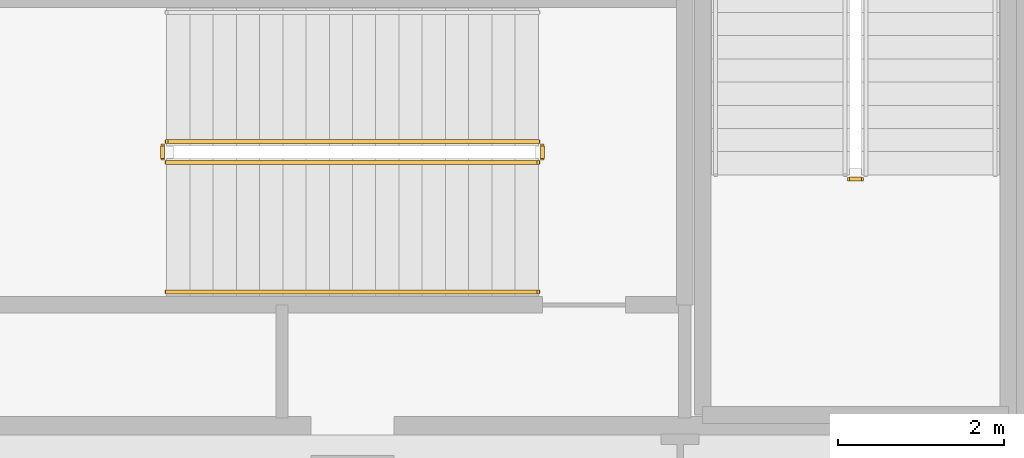
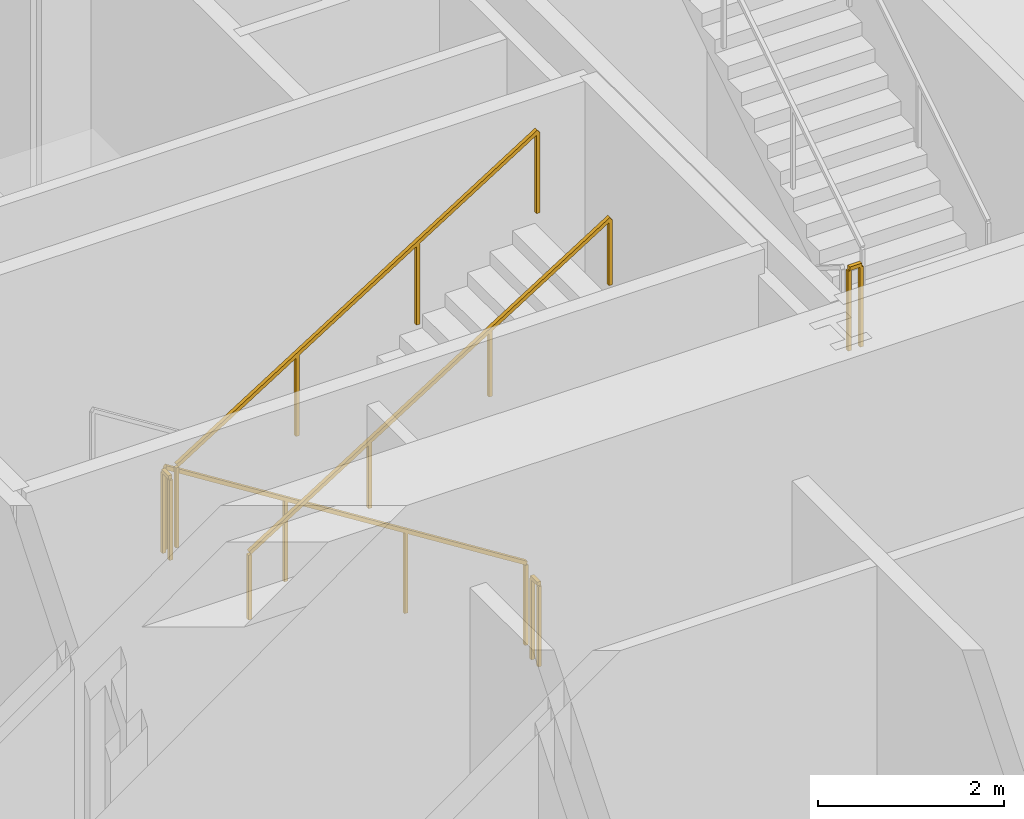
# One storey, part 30 of 35: 6 railings.
"""IFC4 building model written with IfcOpenShell, lengths in metres."""

import ifcopenshell
import ifcopenshell.guid

model = None  # the IFC model being written
_history = None  # IfcOwnerHistory: only IFC2X3 demands one
_inside = {}  # id of a spatial element -> (the spatial element, [elements in it])
_under = {}  # id of a project, library or spatial element -> (it, [spatial elements below it])
_declared = {}  # id of a project -> (the project, [libraries it declares])
_typed = {}  # id of a type object -> (the type object, [elements of that type])
_made_of = {}  # id of a material, layer set ... -> (it, [elements and type objects made of it])


def new_model(schema):
    """Start an empty IFC model of exactly this schema.

    Asked for "IFC4X3", IfcOpenShell would pick the latest addendum, in which some entities
    have other attributes; the version numbers below select the first issue.
    IFC2X3 requires an IfcOwnerHistory on every rooted entity: one is made here for all.
    """
    global model, _history
    if schema == "IFC4X3":
        model = ifcopenshell.file(schema_version=(4, 3, 0, 0))
    else:
        model = ifcopenshell.file(schema=schema)
    _inside.clear()
    _under.clear()
    _declared.clear()
    _typed.clear()
    _made_of.clear()
    _history = None
    if model.schema == "IFC2X3":
        org = make("IfcOrganization", Name="unknown")
        user = make(
            "IfcPersonAndOrganization",
            ThePerson=make("IfcPerson", FamilyName="unknown"),
            TheOrganization=org,
        )
        app = make(
            "IfcApplication",
            ApplicationDeveloper=org,
            Version="unknown",
            ApplicationFullName="unknown",
            ApplicationIdentifier="unknown",
        )
        _history = make(
            "IfcOwnerHistory",
            OwningUser=user,
            OwningApplication=app,
            ChangeAction="ADDED",
            CreationDate=0,
        )
    return model


def make(cls, **values):
    """One entity of the class cls with the attributes given. An attribute that is None is left unset."""
    return model.create_entity(
        cls, **{name: value for name, value in values.items() if value is not None}
    )


def rooted(cls, **values):
    """An entity with a GlobalId (a new one), such as an element, a storey or a relation."""
    return make(cls, GlobalId=ifcopenshell.guid.new(), OwnerHistory=_history, **values)


def si_unit(unit_type, name, prefix=None):
    """IfcSIUnit, for example si_unit("LENGTHUNIT", "METRE", prefix="MILLI")."""
    return make("IfcSIUnit", UnitType=unit_type, Prefix=prefix, Name=name)


def assignment(units):
    """IfcUnitAssignment: the units of a project."""
    return None if units is None else make("IfcUnitAssignment", Units=units)


def point(xyz):
    """IfcCartesianPoint."""
    return None if xyz is None else make("IfcCartesianPoint", Coordinates=xyz)


def direction(xyz):
    """IfcDirection."""
    return None if xyz is None else make("IfcDirection", DirectionRatios=xyz)


def frame(location, z_axis=None, x_axis=None):
    """IfcAxis2Placement3D, a coordinate frame: its origin and axes. An axis left out is left unset."""
    return make(
        "IfcAxis2Placement3D",
        Location=point(location),
        Axis=direction(z_axis),
        RefDirection=direction(x_axis),
    )


def frame_2d(location, x_axis=None):
    """IfcAxis2Placement2D, a coordinate frame in the plane: its origin and x axis."""
    return make(
        "IfcAxis2Placement2D", Location=point(location), RefDirection=direction(x_axis)
    )


def origin():
    """The frame at (0, 0, 0) with its axes left unset."""
    return frame((0.0, 0.0, 0.0))


def origin_2d():
    """The frame at (0, 0) in the plane with its x axis left unset."""
    return frame_2d((0.0, 0.0))


def place(relative_to, where):
    """IfcLocalPlacement: puts the frame where relative to a parent placement (None: the world)."""
    return make(
        "IfcLocalPlacement", PlacementRelTo=relative_to, RelativePlacement=where
    )


def context(
    kind, dimensions, precision=None, world=None, true_north=None, identifier=None
):
    """IfcGeometricRepresentationContext, for example the 3D "Model" context."""
    return make(
        "IfcGeometricRepresentationContext",
        ContextIdentifier=identifier,
        ContextType=kind,
        CoordinateSpaceDimension=dimensions,
        Precision=precision,
        WorldCoordinateSystem=world,
        TrueNorth=true_north,
    )


def subcontext(parent, identifier, kind, view, scale=None):
    """IfcGeometricRepresentationSubContext, for example "Body" below "Model"."""
    return make(
        "IfcGeometricRepresentationSubContext",
        ContextIdentifier=identifier,
        ContextType=kind,
        ParentContext=parent,
        TargetScale=scale,
        TargetView=view,
    )


def project(units=None, contexts=None):
    """IfcProject with its units and contexts."""
    return rooted(
        "IfcProject",
        Name="project",
        RepresentationContexts=contexts,
        UnitsInContext=assignment(units),
    )


def spatial(cls, under=None, at=None, **own):
    """A site, building, storey or space (cls), placed at a placement, below another one or the project."""
    s = rooted(cls, ObjectPlacement=at, **own)
    if under is not None:
        _under.setdefault(under.id(), (under, []))[1].append(s)
    return s


def profile(cls, at=None, kind="AREA", **sizes):
    """A parametric profile (cls). Its sizes go by their IFC names, for example OverallWidth=200.0."""
    return make(cls, ProfileType=kind, Position=at, **sizes)


def rectangle(**sizes):
    """IfcRectangleProfileDef."""
    return profile("IfcRectangleProfileDef", **sizes)


def extrude(swept, where, along, depth):
    """IfcExtrudedAreaSolid: the profile swept, set in the frame where, extruded along a direction by depth."""
    return make(
        "IfcExtrudedAreaSolid",
        SweptArea=swept,
        Position=where,
        ExtrudedDirection=direction(along),
        Depth=depth,
    )


def shape(context_of_items, identifier, shape_type, items):
    """IfcShapeRepresentation: the items that make up one representation, for example the "Body"."""
    return make(
        "IfcShapeRepresentation",
        ContextOfItems=context_of_items,
        RepresentationIdentifier=identifier,
        RepresentationType=shape_type,
        Items=items,
    )


def material(Name=None, Category=None):
    """IfcMaterial."""
    return make("IfcMaterial", Name=Name, Category=Category)


def layer(
    of_material, thickness, ventilated=None, Name=None, Category=None, Priority=None
):
    """IfcMaterialLayer: one layer of a wall or slab, of a material (None: an air gap)."""
    return make(
        "IfcMaterialLayer",
        Material=of_material,
        LayerThickness=thickness,
        IsVentilated=ventilated,
        Name=Name,
        Category=Category,
        Priority=Priority,
    )


def layer_set(layers, Name=None):
    """IfcMaterialLayerSet."""
    return make("IfcMaterialLayerSet", MaterialLayers=layers, LayerSetName=Name)


def made_of(thing, what):
    """Note that an element or type object is made of a material, layer set ...; save() writes the relation."""
    if what is not None:
        _made_of.setdefault(what.id(), (what, []))[1].append(thing)
    return thing


def type_object(cls, material=None, **own):
    """A type object (cls), such as IfcWallType, which elements share."""
    return made_of(rooted(cls, **own), material)


def element(
    cls,
    number,
    at=None,
    inside=None,
    cuts=None,
    type_object=None,
    material=None,
    context=None,
    identifier="Body",
    shape_type=None,
    held_by="IfcProductDefinitionShape",
    body=None,
    shapes=None,
    **own,
):
    """One element of the class cls, such as IfcWall. Its Tag is "e" and its number.

    at: its placement. inside: the storey or other place that contains it. cuts: it is an
    opening in that element (IfcRelVoidsElement). A single representation is given by context,
    identifier, shape_type and body (its items); several are given by shapes. held_by: the class
    of the entity that holds the representations. save() writes the other relations.
    """
    e = rooted(cls, Tag="e%d" % number, ObjectPlacement=at, **own)
    if body is not None:
        shapes = [shape(context, identifier, shape_type, body)]
    if shapes is not None:
        e.Representation = make(held_by, Representations=shapes)
    if inside is not None:
        _inside.setdefault(inside.id(), (inside, []))[1].append(e)
    if cuts is not None:
        rooted(
            "IfcRelVoidsElement", RelatingBuildingElement=cuts, RelatedOpeningElement=e
        )
    if type_object is not None:
        _typed.setdefault(type_object.id(), (type_object, []))[1].append(e)
    return made_of(e, material)


def aggregate(whole, parts):
    """IfcRelAggregates: a whole, such as a stair, and the parts it consists of."""
    return rooted("IfcRelAggregates", RelatingObject=whole, RelatedObjects=parts)


def save(model, path):
    """Write the relations noted so far, then the file.

    IfcRelAggregates (storeys below a building ...), IfcRelContainedInSpatialStructure (elements
    in a storey), IfcRelDefinesByType, IfcRelAssociatesMaterial and IfcRelDeclares: one each for
    every whole, place, type object, material and project.
    """
    for whole, parts in _under.values():
        aggregate(whole, parts)
    for where, things in _inside.values():
        rooted(
            "IfcRelContainedInSpatialStructure",
            RelatedElements=things,
            RelatingStructure=where,
        )
    for kind, things in _typed.values():
        rooted("IfcRelDefinesByType", RelatedObjects=things, RelatingType=kind)
    for what, things in _made_of.values():
        rooted("IfcRelAssociatesMaterial", RelatedObjects=things, RelatingMaterial=what)
    for by, libraries in _declared.values():
        rooted("IfcRelDeclares", RelatingContext=by, RelatedDefinitions=libraries)
    model.write(path)


model = new_model("IFC4")

# Units and contexts
model_context = context("Model", 3, precision=1e-05, world=origin(), true_north=direction((0.0, 1.0)))
body_context = subcontext(model_context, "Body", "Model", "MODEL_VIEW")
ifc_project = project(units=[si_unit("LENGTHUNIT", "METRE"), si_unit("AREAUNIT", "SQUARE_METRE"), si_unit("VOLUMEUNIT", "CUBIC_METRE"), si_unit("PLANEANGLEUNIT", "RADIAN"), si_unit("MASSUNIT", "GRAM", prefix="KILO")], contexts=[model_context])

# Site, building, storey
site_placement = place(None, origin())
site = spatial("IfcSite", under=ifc_project, at=site_placement, CompositionType="ELEMENT")
building_placement = place(site_placement, origin())
building = spatial("IfcBuilding", under=site, at=building_placement, Name="Kilnhurst Terrace Hotel", CompositionType="ELEMENT")
storey_placement = place(building_placement, origin())
storey = spatial("IfcBuildingStorey", under=building, at=storey_placement, Name="L00", CompositionType="ELEMENT", Elevation=0.0)

# Railings
ifc_material_1 = material(Name="Powder-Coated Steel ASTM A500 Grade B", Category="steel")
ifc_layer_1 = layer(ifc_material_1, 0.050048828125, Name="Powder-Coated Steel ASTM A500 Grade B")
ifc_layer_set_1 = layer_set([ifc_layer_1], Name="Powder-Coated Steel ASTM A500 Grade B")
railing_type_1 = type_object("IfcRailingType", Name="RLG-ST-GRD-1100", PredefinedType="GUARDRAIL", material=ifc_layer_set_1)
railing_1_placement = place(storey_placement, frame((6.5400390625, -4.139892578125, 3.0)))
element("IfcRailing", 1, at=railing_1_placement, inside=storey, type_object=railing_type_1, Name="L00 ST-2 stair guard 2", PredefinedType="GUARDRAIL", context=body_context, shape_type="SweptSolid", body=[
    extrude(rectangle(XDim=0.048095703125, YDim=0.048095703125, at=origin_2d()), frame((0.0, 0.0, 1.076171875), z_axis=(1.0, 0.0, 0.0), x_axis=(0.0, 1.0, 0.0)), (0.0, 0.0, 1.0), 0.14990234375),
    extrude(rectangle(XDim=0.0419921875, YDim=0.0419921875, at=origin_2d()), origin(), (0.0, 0.0, 1.0), 1.052001953125),
    extrude(rectangle(XDim=0.0419921875, YDim=0.0419921875, at=origin_2d()), frame((0.14990234375, 0.0, 0.0)), (0.0, 0.0, 1.0), 1.052001953125),
])
railing_2_placement = place(storey_placement, frame((2.7900390625, -3.68994140625, 0.176513671875)))
element("IfcRailing", 2, at=railing_2_placement, inside=storey, type_object=railing_type_1, Name="L00 ST-3 stair guard 1", PredefinedType="GUARDRAIL", context=body_context, shape_type="SweptSolid", body=[
    extrude(rectangle(XDim=0.048095703125, YDim=0.048095703125, at=origin_2d()), frame((0.0, 0.0, 1.076171875), z_axis=(-0.845997938375, 0.0, 0.533186166611), x_axis=(0.0, -1.0, 0.0)), (0.0, 0.0, 1.0), 5.29541015625),
    extrude(rectangle(XDim=0.0419921875, YDim=0.0419921875, at=origin_2d()), origin(), (0.0, 0.0, 1.0), 1.052001953125),
    extrude(rectangle(XDim=0.0419921875, YDim=0.0419921875, at=origin_2d()), frame((-1.493408203125, 0.0, 0.941162109375)), (0.0, 0.0, 1.0), 1.052001953125),
    extrude(rectangle(XDim=0.0419921875, YDim=0.0419921875, at=origin_2d()), frame((-2.986572265625, 0.0, 1.88232421875)), (0.0, 0.0, 1.0), 1.052001953125),
    extrude(rectangle(XDim=0.0419921875, YDim=0.0419921875, at=origin_2d()), frame((-4.47998046875, 0.0, 2.823486328125)), (0.0, 0.0, 1.0), 1.052001953125),
])
railing_3_placement = place(storey_placement, frame((-1.739990234375, -3.739990234375, 3.0)))
element("IfcRailing", 3, at=railing_3_placement, inside=storey, type_object=railing_type_1, Name="L00 ST-3 stair guard 2", PredefinedType="GUARDRAIL", context=body_context, shape_type="SweptSolid", body=[
    extrude(rectangle(XDim=0.048095703125, YDim=0.048095703125, at=origin_2d()), frame((0.0, 0.0, 1.076171875), z_axis=(0.0, -1.0, 0.0), x_axis=(1.0, 0.0, 0.0)), (0.0, 0.0, 1.0), 0.14990234375),
    extrude(rectangle(XDim=0.0419921875, YDim=0.0419921875, at=origin_2d()), origin(), (0.0, 0.0, 1.0), 1.052001953125),
    extrude(rectangle(XDim=0.0419921875, YDim=0.0419921875, at=origin_2d()), frame((0.0, -0.14990234375, 0.0)), (0.0, 0.0, 1.0), 1.052001953125),
])
railing_4_placement = place(storey_placement, frame((-1.68994140625, -3.93994140625, 3.176513671875)))
element("IfcRailing", 4, at=railing_4_placement, inside=storey, type_object=railing_type_1, Name="L00 ST-3 stair guard 3", PredefinedType="GUARDRAIL", context=body_context, shape_type="SweptSolid", body=[
    extrude(rectangle(XDim=0.048095703125, YDim=0.048095703125, at=origin_2d()), frame((0.0, 0.0, 1.076171875), z_axis=(0.845997938375, 0.0, 0.533186166611), x_axis=(0.0, 1.0, 0.0)), (0.0, 0.0, 1.0), 5.29541015625),
    extrude(rectangle(XDim=0.0419921875, YDim=0.0419921875, at=origin_2d()), origin(), (0.0, 0.0, 1.0), 1.052001953125),
    extrude(rectangle(XDim=0.0419921875, YDim=0.0419921875, at=origin_2d()), frame((1.493408203125, 0.0, 0.941162109375)), (0.0, 0.0, 1.0), 1.052001953125),
    extrude(rectangle(XDim=0.0419921875, YDim=0.0419921875, at=origin_2d()), frame((2.986572265625, 0.0, 1.88232421875)), (0.0, 0.0, 1.0), 1.052001953125),
    extrude(rectangle(XDim=0.0419921875, YDim=0.0419921875, at=origin_2d()), frame((4.47998046875, 0.0, 2.823486328125)), (0.0, 0.0, 1.0), 1.052001953125),
])
railing_5_placement = place(storey_placement, frame((2.840087890625, -3.739990234375, 0.0)))
element("IfcRailing", 5, at=railing_5_placement, inside=storey, type_object=railing_type_1, Name="L00 ST-3 stair guard 4", PredefinedType="GUARDRAIL", context=body_context, shape_type="SweptSolid", body=[
    extrude(rectangle(XDim=0.048095703125, YDim=0.048095703125, at=origin_2d()), frame((0.0, 0.0, 1.076171875), z_axis=(0.0, -1.0, 0.0), x_axis=(1.0, 0.0, 0.0)), (0.0, 0.0, 1.0), 0.14990234375),
    extrude(rectangle(XDim=0.0419921875, YDim=0.0419921875, at=origin_2d()), origin(), (0.0, 0.0, 1.0), 1.052001953125),
    extrude(rectangle(XDim=0.0419921875, YDim=0.0419921875, at=origin_2d()), frame((0.0, -0.14990234375, 0.0)), (0.0, 0.0, 1.0), 1.052001953125),
])
ifc_material_2 = material(Name="Brushed Stainless Steel AISI 304", Category="steel")
ifc_layer_2 = layer(ifc_material_2, 0.048095703125, Name="Brushed Stainless Steel AISI 304")
ifc_layer_set_2 = layer_set([ifc_layer_2], Name="Brushed Stainless Steel AISI 304")
railing_type_2 = type_object("IfcRailingType", Name="RLG-ST-HRL-900", PredefinedType="HANDRAIL", material=ifc_layer_set_2)
railing_6_placement = place(storey_placement, frame((-1.68994140625, -5.5, 3.176513671875)))
element("IfcRailing", 6, at=railing_6_placement, inside=storey, type_object=railing_type_2, Name="L00 ST-3 stair handrail 2", PredefinedType="HANDRAIL", context=body_context, shape_type="SweptSolid", body=[
    extrude(rectangle(XDim=0.048095703125, YDim=0.048095703125, at=origin_2d()), frame((0.0, 0.0, 0.8759765625), z_axis=(0.845997938375, 0.0, 0.533186166611), x_axis=(0.0, 1.0, 0.0)), (0.0, 0.0, 1.0), 5.29541015625),
    extrude(rectangle(XDim=0.0419921875, YDim=0.0419921875, at=origin_2d()), origin(), (0.0, 0.0, 1.0), 0.851806640625),
    extrude(rectangle(XDim=0.0419921875, YDim=0.0419921875, at=origin_2d()), frame((1.493408203125, 0.0, 0.941162109375)), (0.0, 0.0, 1.0), 0.851806640625),
    extrude(rectangle(XDim=0.0419921875, YDim=0.0419921875, at=origin_2d()), frame((2.986572265625, 0.0, 1.88232421875)), (0.0, 0.0, 1.0), 0.851806640625),
    extrude(rectangle(XDim=0.0419921875, YDim=0.0419921875, at=origin_2d()), frame((4.47998046875, 0.0, 2.823486328125)), (0.0, 0.0, 1.0), 0.851806640625),
])

save(model, "model.ifc")
